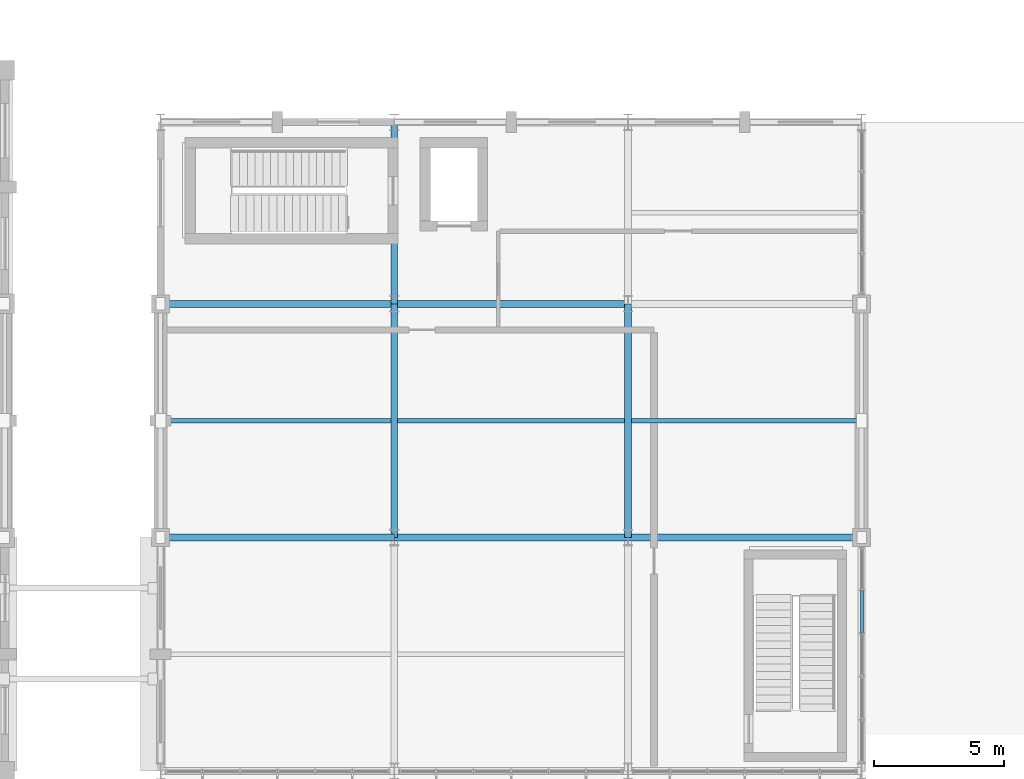
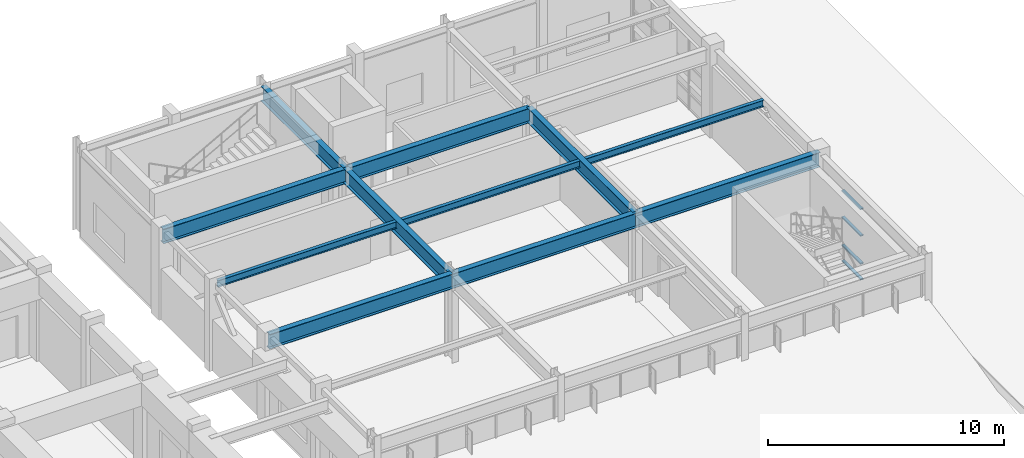
# One storey, part 65 of 104: 11 beams, 4 members, 1 element without a shape of its own.
"""IFC4 building model written with IfcOpenShell, lengths in metres."""

from ifc_helpers import new_model, si_unit, direction, frame, origin, origin_2d, place, context, subcontext, project, spatial, hollow_rectangle, i_section, extrude, material, layer, layer_set, material_profile, profile_set, type_object, element, aggregate, save


model = new_model("IFC4")

# Units and contexts
model_context = context("Model", 3, precision=1e-05, world=origin(), true_north=direction((0.0, 1.0)))
body_context = subcontext(model_context, "Body", "Model", "MODEL_VIEW")
ifc_project = project(units=[si_unit("LENGTHUNIT", "METRE"), si_unit("AREAUNIT", "SQUARE_METRE"), si_unit("VOLUMEUNIT", "CUBIC_METRE"), si_unit("PLANEANGLEUNIT", "RADIAN"), si_unit("MASSUNIT", "GRAM", prefix="KILO")], contexts=[model_context])

# Site, building, storey
site_placement = place(None, origin())
site = spatial("IfcSite", under=ifc_project, at=site_placement, CompositionType="ELEMENT")
building_placement = place(site_placement, origin())
building = spatial("IfcBuilding", under=site, at=building_placement, Name="Ventoquebrada Cableway Terminal", CompositionType="ELEMENT")
storey_placement = place(building_placement, frame((0.0, 0.0, 4.800048828125)))
storey = spatial("IfcBuildingStorey", under=building, at=storey_placement, Name="L01", CompositionType="ELEMENT", Elevation=4.800048828125)

# Beams
ifc_material_1 = material(Name="Steel ASTM A992 Grade 50", Category="steel")
ifc_material_profile_1 = material_profile(ifc_material_1, i_section(OverallWidth=0.26708984375, OverallDepth=0.761962890625, WebThickness=0.014404296875, FlangeThickness=0.021484375, at=origin_2d()), Name="W30X116")
ifc_profile_set_1 = profile_set([ifc_material_profile_1], Name="Steel ASTM A992 Grade 50")
beam_type_1 = type_object("IfcBeamType", Name="BM-ST05", PredefinedType="BEAM", material=ifc_profile_set_1)
for number, where, z_axis, x_axis, name in (
    (1, (129.0, 86.0, 4.093994140625), (1.0, 0.0, 0.0), (0.0, 1.0, 0.0), "Primary frame girder FBM-0830"),
    (2, (138.0, 86.0, 4.093994140625), (1.0, 0.0, 0.0), (0.0, 1.0, 0.0), "Primary frame girder FBM-0831"),
    (3, (147.0, 86.0, 4.093994140625), (1.0, 0.0, 0.0), (0.0, 1.0, 0.0), "Primary frame girder FBM-0832"),
    (4, (129.0, 95.0, 4.093994140625), (1.0, 0.0, 0.0), (0.0, 1.0, 0.0), "Primary frame girder FBM-0833"),
    (5, (138.0, 95.0, 4.093994140625), (1.0, 0.0, 0.0), (0.0, 1.0, 0.0), "Primary frame girder FBM-0834"),
    (6, (138.0, 86.0, 4.093994140625), (0.0, 1.0, 0.0), (-1.0, 0.0, 0.0), "Primary frame girder FBM-0848"),
):
    element("IfcBeam", number, at=place(storey_placement, frame(where, z_axis=z_axis, x_axis=x_axis)), inside=storey, type_object=beam_type_1, Name=name, PredefinedType="BEAM", context=body_context, shape_type="SweptSolid", body=[
        extrude(i_section(OverallWidth=0.26708984375, OverallDepth=0.761962890625, WebThickness=0.014404296875, FlangeThickness=0.021484375, at=origin_2d()), origin(), (0.0, 0.0, 1.0), 9.0),
    ])
beam_1_placement = place(storey_placement, frame((138.0, 95.0, 4.093994140625), z_axis=(0.0, 1.0, 0.0), x_axis=(-1.0, 0.0, 0.0)))
element("IfcBeam", 7, at=beam_1_placement, inside=storey, type_object=beam_type_1, Name="Primary frame girder FBM-0849", PredefinedType="BEAM", context=body_context, shape_type="SweptSolid", body=[
    extrude(i_section(OverallWidth=0.26708984375, OverallDepth=0.761962890625, WebThickness=0.014404296875, FlangeThickness=0.021484375, at=origin_2d()), origin(), (0.0, 0.0, 1.0), 7.0),
])
beam_2_placement = place(storey_placement, frame((147.0, 86.0, 4.093994140625), z_axis=(0.0, 1.0, 0.0), x_axis=(-1.0, 0.0, 0.0)))
element("IfcBeam", 8, at=beam_2_placement, inside=storey, type_object=beam_type_1, Name="Primary frame girder FBM-0851", PredefinedType="BEAM", context=body_context, shape_type="SweptSolid", body=[
    extrude(i_section(OverallWidth=0.26708984375, OverallDepth=0.761962890625, WebThickness=0.014404296875, FlangeThickness=0.021484375, at=origin_2d()), origin(), (0.0, 0.0, 1.0), 9.0),
])

# Curtain wall, members
ifc_material_2 = material(Name="Anodized thermally-broken aluminium", Category="aluminium")
ifc_layer = layer(ifc_material_2, 0.159912109375)
ifc_layer_set = layer_set([ifc_layer], Name="Anodized thermally-broken aluminium")
curtain_wall_type = type_object("IfcCurtainWallType", Name="CW-T31", PredefinedType="USERDEFINED", material=ifc_layer_set)
curtain_wall_placement = place(storey_placement, origin())
curtain_wall = element("IfcCurtainWall", 9, at=curtain_wall_placement, inside=storey, type_object=curtain_wall_type, Name="Unitised glazed curtain wall CW-076", ObjectType="UNITISED CURTAIN WALL", PredefinedType="USERDEFINED")
ifc_material_profile_2 = material_profile(ifc_material_2, hollow_rectangle(XDim=0.06494140625, YDim=0.139892578125, WallThickness=0.00390625, at=origin_2d()), Name="CW-TRN-65X140")
ifc_profile_set_2 = profile_set([ifc_material_profile_2], Name="Anodized thermally-broken aluminium")
member_type = type_object("IfcMemberType", Name="CWT-01", PredefinedType="USERDEFINED", material=ifc_profile_set_2)
member_1_placement = place(storey_placement, frame((156.0, 82.341064453125, 0.034912109375), z_axis=(0.0, 1.0, 0.0), x_axis=(0.0, 0.0, 1.0)))
member_1 = element("IfcMember", 10, at=member_1_placement, type_object=member_type, Name="Curtain wall transom FTR-1060", ObjectType="TRANSOM", PredefinedType="USERDEFINED", context=body_context, shape_type="SweptSolid", body=[
    extrude(hollow_rectangle(XDim=0.06494140625, YDim=0.139892578125, WallThickness=0.00390625, at=origin_2d()), origin(), (0.0, 0.0, 1.0), 1.61083984375),
])
member_2_placement = place(storey_placement, frame((156.0, 82.341064453125, 0.849853515625), z_axis=(0.0, 1.0, 0.0), x_axis=(0.0, 0.0, 1.0)))
member_2 = element("IfcMember", 11, at=member_2_placement, type_object=member_type, Name="Curtain wall transom FTR-1061", ObjectType="TRANSOM", PredefinedType="USERDEFINED", context=body_context, shape_type="SweptSolid", body=[
    extrude(hollow_rectangle(XDim=0.06494140625, YDim=0.139892578125, WallThickness=0.00390625, at=origin_2d()), origin(), (0.0, 0.0, 1.0), 1.61083984375),
])
member_3_placement = place(storey_placement, frame((156.0, 82.341064453125, 2.299072265625), z_axis=(0.0, 1.0, 0.0), x_axis=(0.0, 0.0, 1.0)))
member_3 = element("IfcMember", 12, at=member_3_placement, type_object=member_type, Name="Curtain wall transom FTR-1062", ObjectType="TRANSOM", PredefinedType="USERDEFINED", context=body_context, shape_type="SweptSolid", body=[
    extrude(hollow_rectangle(XDim=0.06494140625, YDim=0.139892578125, WallThickness=0.00390625, at=origin_2d()), origin(), (0.0, 0.0, 1.0), 1.61083984375),
])
member_4_placement = place(storey_placement, frame((156.0, 82.341064453125, 3.6728515625), z_axis=(0.0, 1.0, 0.0), x_axis=(0.0, 0.0, 1.0)))
member_4 = element("IfcMember", 13, at=member_4_placement, type_object=member_type, Name="Curtain wall transom FTR-1063", ObjectType="TRANSOM", PredefinedType="USERDEFINED", context=body_context, shape_type="SweptSolid", body=[
    extrude(hollow_rectangle(XDim=0.06494140625, YDim=0.139892578125, WallThickness=0.00390625, at=origin_2d()), origin(), (0.0, 0.0, 1.0), 1.61083984375),
])
aggregate(curtain_wall, [member_1, member_2, member_3, member_4])

# Beams
ifc_material_profile_3 = material_profile(ifc_material_1, i_section(OverallWidth=0.1708984375, OverallDepth=0.35107421875, WebThickness=0.0068359375, FlangeThickness=0.009765625, at=origin_2d()), Name="W14X30")
ifc_profile_set_3 = profile_set([ifc_material_profile_3], Name="Steel ASTM A992 Grade 50")
beam_type_2 = type_object("IfcBeamType", Name="JST-ST04", PredefinedType="JOIST", material=ifc_profile_set_3)
beam_3_placement = place(storey_placement, frame((129.10009765625, 90.5, 4.300048828125), z_axis=(1.0, 0.0, 0.0), x_axis=(0.0, 1.0, 0.0)))
element("IfcBeam", 14, at=beam_3_placement, inside=storey, type_object=beam_type_2, Name="Secondary floor joist JB-027", PredefinedType="JOIST", context=body_context, shape_type="SweptSolid", body=[
    extrude(i_section(OverallWidth=0.1708984375, OverallDepth=0.35107421875, WebThickness=0.0068359375, FlangeThickness=0.009765625, at=origin_2d()), origin(), (0.0, 0.0, 1.0), 8.766845703125),
])
for number, where, z_axis, x_axis, name in (
    (15, (138.133056640625, 90.5, 4.300048828125), (1.0, 0.0, 0.0), (0.0, 1.0, 0.0), "Secondary floor joist JB-029"),
    (16, (147.133056640625, 90.5, 4.300048828125), (1.0, 0.0, 0.0), (0.0, 1.0, 0.0), "Secondary floor joist JB-030"),
):
    element("IfcBeam", number, at=place(storey_placement, frame(where, z_axis=z_axis, x_axis=x_axis)), inside=storey, type_object=beam_type_2, Name=name, PredefinedType="JOIST", context=body_context, shape_type="SweptSolid", body=[
        extrude(i_section(OverallWidth=0.1708984375, OverallDepth=0.35107421875, WebThickness=0.0068359375, FlangeThickness=0.009765625, at=origin_2d()), origin(), (0.0, 0.0, 1.0), 8.73388671875),
    ])

save(model, "model.ifc")
